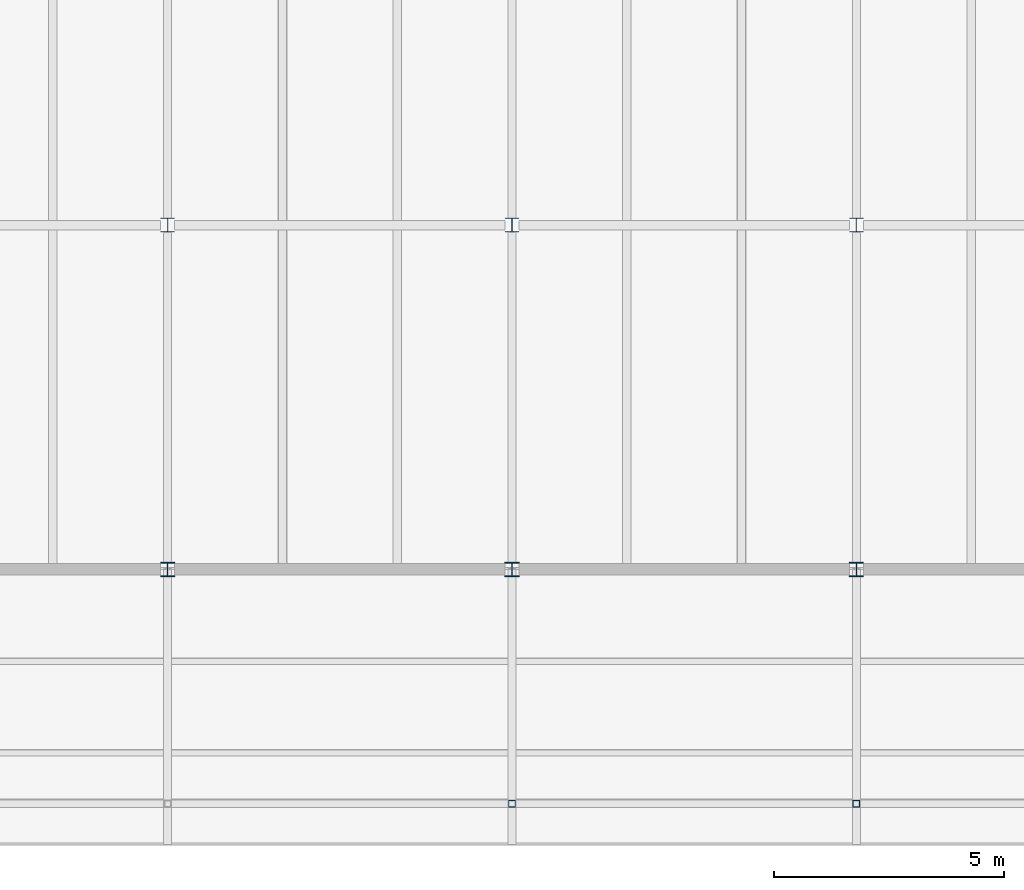
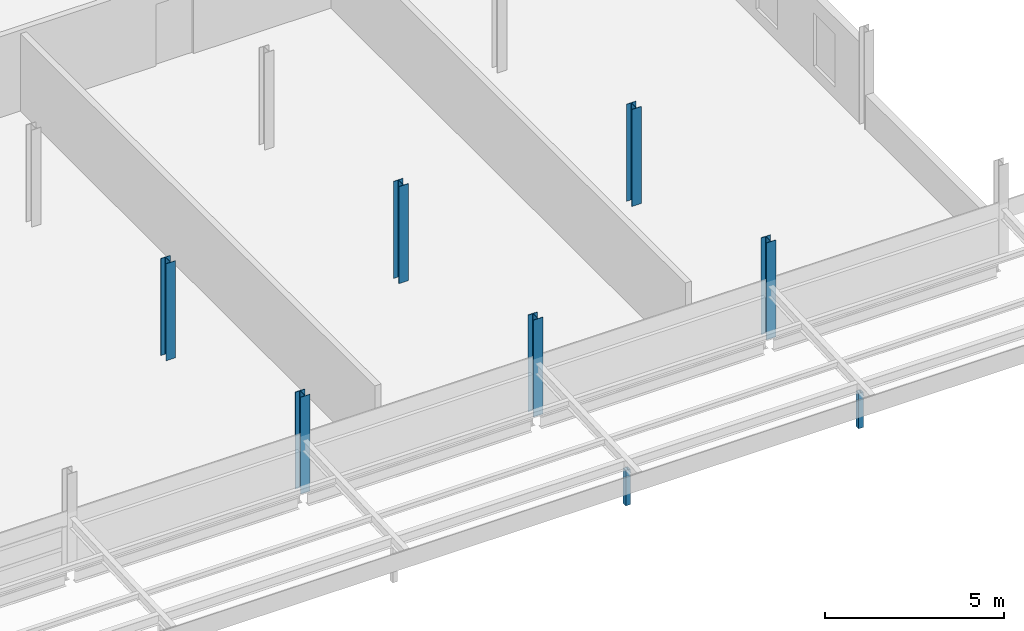
# One storey, part 9 of 214: 8 columns.
"""IFC4 building model written with IfcOpenShell, lengths in metres."""

import ifcopenshell
import ifcopenshell.guid

model = None  # the IFC model being written
_history = None  # IfcOwnerHistory: only IFC2X3 demands one
_inside = {}  # id of a spatial element -> (the spatial element, [elements in it])
_under = {}  # id of a project, library or spatial element -> (it, [spatial elements below it])
_declared = {}  # id of a project -> (the project, [libraries it declares])
_typed = {}  # id of a type object -> (the type object, [elements of that type])
_made_of = {}  # id of a material, layer set ... -> (it, [elements and type objects made of it])


def new_model(schema):
    """Start an empty IFC model of exactly this schema.

    Asked for "IFC4X3", IfcOpenShell would pick the latest addendum, in which some entities
    have other attributes; the version numbers below select the first issue.
    IFC2X3 requires an IfcOwnerHistory on every rooted entity: one is made here for all.
    """
    global model, _history
    if schema == "IFC4X3":
        model = ifcopenshell.file(schema_version=(4, 3, 0, 0))
    else:
        model = ifcopenshell.file(schema=schema)
    _inside.clear()
    _under.clear()
    _declared.clear()
    _typed.clear()
    _made_of.clear()
    _history = None
    if model.schema == "IFC2X3":
        org = make("IfcOrganization", Name="unknown")
        user = make(
            "IfcPersonAndOrganization",
            ThePerson=make("IfcPerson", FamilyName="unknown"),
            TheOrganization=org,
        )
        app = make(
            "IfcApplication",
            ApplicationDeveloper=org,
            Version="unknown",
            ApplicationFullName="unknown",
            ApplicationIdentifier="unknown",
        )
        _history = make(
            "IfcOwnerHistory",
            OwningUser=user,
            OwningApplication=app,
            ChangeAction="ADDED",
            CreationDate=0,
        )
    return model


def make(cls, **values):
    """One entity of the class cls with the attributes given. An attribute that is None is left unset."""
    return model.create_entity(
        cls, **{name: value for name, value in values.items() if value is not None}
    )


def rooted(cls, **values):
    """An entity with a GlobalId (a new one), such as an element, a storey or a relation."""
    return make(cls, GlobalId=ifcopenshell.guid.new(), OwnerHistory=_history, **values)


def si_unit(unit_type, name, prefix=None):
    """IfcSIUnit, for example si_unit("LENGTHUNIT", "METRE", prefix="MILLI")."""
    return make("IfcSIUnit", UnitType=unit_type, Prefix=prefix, Name=name)


def assignment(units):
    """IfcUnitAssignment: the units of a project."""
    return None if units is None else make("IfcUnitAssignment", Units=units)


def point(xyz):
    """IfcCartesianPoint."""
    return None if xyz is None else make("IfcCartesianPoint", Coordinates=xyz)


def direction(xyz):
    """IfcDirection."""
    return None if xyz is None else make("IfcDirection", DirectionRatios=xyz)


def frame(location, z_axis=None, x_axis=None):
    """IfcAxis2Placement3D, a coordinate frame: its origin and axes. An axis left out is left unset."""
    return make(
        "IfcAxis2Placement3D",
        Location=point(location),
        Axis=direction(z_axis),
        RefDirection=direction(x_axis),
    )


def frame_2d(location, x_axis=None):
    """IfcAxis2Placement2D, a coordinate frame in the plane: its origin and x axis."""
    return make(
        "IfcAxis2Placement2D", Location=point(location), RefDirection=direction(x_axis)
    )


def origin():
    """The frame at (0, 0, 0) with its axes left unset."""
    return frame((0.0, 0.0, 0.0))


def origin_2d():
    """The frame at (0, 0) in the plane with its x axis left unset."""
    return frame_2d((0.0, 0.0))


def place(relative_to, where):
    """IfcLocalPlacement: puts the frame where relative to a parent placement (None: the world)."""
    return make(
        "IfcLocalPlacement", PlacementRelTo=relative_to, RelativePlacement=where
    )


def context(
    kind, dimensions, precision=None, world=None, true_north=None, identifier=None
):
    """IfcGeometricRepresentationContext, for example the 3D "Model" context."""
    return make(
        "IfcGeometricRepresentationContext",
        ContextIdentifier=identifier,
        ContextType=kind,
        CoordinateSpaceDimension=dimensions,
        Precision=precision,
        WorldCoordinateSystem=world,
        TrueNorth=true_north,
    )


def subcontext(parent, identifier, kind, view, scale=None):
    """IfcGeometricRepresentationSubContext, for example "Body" below "Model"."""
    return make(
        "IfcGeometricRepresentationSubContext",
        ContextIdentifier=identifier,
        ContextType=kind,
        ParentContext=parent,
        TargetScale=scale,
        TargetView=view,
    )


def project(units=None, contexts=None):
    """IfcProject with its units and contexts."""
    return rooted(
        "IfcProject",
        Name="project",
        RepresentationContexts=contexts,
        UnitsInContext=assignment(units),
    )


def spatial(cls, under=None, at=None, **own):
    """A site, building, storey or space (cls), placed at a placement, below another one or the project."""
    s = rooted(cls, ObjectPlacement=at, **own)
    if under is not None:
        _under.setdefault(under.id(), (under, []))[1].append(s)
    return s


def profile(cls, at=None, kind="AREA", **sizes):
    """A parametric profile (cls). Its sizes go by their IFC names, for example OverallWidth=200.0."""
    return make(cls, ProfileType=kind, Position=at, **sizes)


def hollow_rectangle(**sizes):
    """IfcRectangleHollowProfileDef."""
    return profile("IfcRectangleHollowProfileDef", **sizes)


def i_section(**sizes):
    """IfcIShapeProfileDef."""
    return profile("IfcIShapeProfileDef", **sizes)


def extrude(swept, where, along, depth):
    """IfcExtrudedAreaSolid: the profile swept, set in the frame where, extruded along a direction by depth."""
    return make(
        "IfcExtrudedAreaSolid",
        SweptArea=swept,
        Position=where,
        ExtrudedDirection=direction(along),
        Depth=depth,
    )


def shape(context_of_items, identifier, shape_type, items):
    """IfcShapeRepresentation: the items that make up one representation, for example the "Body"."""
    return make(
        "IfcShapeRepresentation",
        ContextOfItems=context_of_items,
        RepresentationIdentifier=identifier,
        RepresentationType=shape_type,
        Items=items,
    )


def material(Name=None, Category=None):
    """IfcMaterial."""
    return make("IfcMaterial", Name=Name, Category=Category)


def material_profile(
    of_material, cross_section, Name=None, Category=None, Priority=None
):
    """IfcMaterialProfile: a cross section and its material."""
    return make(
        "IfcMaterialProfile",
        Name=Name,
        Material=of_material,
        Profile=cross_section,
        Priority=Priority,
        Category=Category,
    )


def profile_set(profiles, Name=None, composite=None):
    """IfcMaterialProfileSet."""
    return make(
        "IfcMaterialProfileSet",
        Name=Name,
        MaterialProfiles=profiles,
        CompositeProfile=composite,
    )


def made_of(thing, what):
    """Note that an element or type object is made of a material, layer set ...; save() writes the relation."""
    if what is not None:
        _made_of.setdefault(what.id(), (what, []))[1].append(thing)
    return thing


def type_object(cls, material=None, **own):
    """A type object (cls), such as IfcWallType, which elements share."""
    return made_of(rooted(cls, **own), material)


def element(
    cls,
    number,
    at=None,
    inside=None,
    cuts=None,
    type_object=None,
    material=None,
    context=None,
    identifier="Body",
    shape_type=None,
    held_by="IfcProductDefinitionShape",
    body=None,
    shapes=None,
    **own,
):
    """One element of the class cls, such as IfcWall. Its Tag is "e" and its number.

    at: its placement. inside: the storey or other place that contains it. cuts: it is an
    opening in that element (IfcRelVoidsElement). A single representation is given by context,
    identifier, shape_type and body (its items); several are given by shapes. held_by: the class
    of the entity that holds the representations. save() writes the other relations.
    """
    e = rooted(cls, Tag="e%d" % number, ObjectPlacement=at, **own)
    if body is not None:
        shapes = [shape(context, identifier, shape_type, body)]
    if shapes is not None:
        e.Representation = make(held_by, Representations=shapes)
    if inside is not None:
        _inside.setdefault(inside.id(), (inside, []))[1].append(e)
    if cuts is not None:
        rooted(
            "IfcRelVoidsElement", RelatingBuildingElement=cuts, RelatedOpeningElement=e
        )
    if type_object is not None:
        _typed.setdefault(type_object.id(), (type_object, []))[1].append(e)
    return made_of(e, material)


def aggregate(whole, parts):
    """IfcRelAggregates: a whole, such as a stair, and the parts it consists of."""
    return rooted("IfcRelAggregates", RelatingObject=whole, RelatedObjects=parts)


def save(model, path):
    """Write the relations noted so far, then the file.

    IfcRelAggregates (storeys below a building ...), IfcRelContainedInSpatialStructure (elements
    in a storey), IfcRelDefinesByType, IfcRelAssociatesMaterial and IfcRelDeclares: one each for
    every whole, place, type object, material and project.
    """
    for whole, parts in _under.values():
        aggregate(whole, parts)
    for where, things in _inside.values():
        rooted(
            "IfcRelContainedInSpatialStructure",
            RelatedElements=things,
            RelatingStructure=where,
        )
    for kind, things in _typed.values():
        rooted("IfcRelDefinesByType", RelatedObjects=things, RelatingType=kind)
    for what, things in _made_of.values():
        rooted("IfcRelAssociatesMaterial", RelatedObjects=things, RelatingMaterial=what)
    for by, libraries in _declared.values():
        rooted("IfcRelDeclares", RelatingContext=by, RelatedDefinitions=libraries)
    model.write(path)


model = new_model("IFC4")

# Units and contexts
model_context = context("Model", 3, precision=1e-05, world=origin(), true_north=direction((0.0, 1.0)))
body_context = subcontext(model_context, "Body", "Model", "MODEL_VIEW")
ifc_project = project(units=[si_unit("LENGTHUNIT", "METRE"), si_unit("AREAUNIT", "SQUARE_METRE"), si_unit("VOLUMEUNIT", "CUBIC_METRE"), si_unit("PLANEANGLEUNIT", "RADIAN"), si_unit("MASSUNIT", "GRAM", prefix="KILO")], contexts=[model_context])

# Site, building, storey
site_placement = place(None, origin())
site = spatial("IfcSite", under=ifc_project, at=site_placement, CompositionType="ELEMENT")
building_placement = place(site_placement, origin())
building = spatial("IfcBuilding", under=site, at=building_placement, Name="Parallax Yard Mobility Hub", CompositionType="ELEMENT")
storey_placement = place(building_placement, frame((0.0, 0.0, 3.300048828125)))
storey = spatial("IfcBuildingStorey", under=building, at=storey_placement, Name="L01", CompositionType="ELEMENT", Elevation=3.300048828125)

# Columns
ifc_material_1 = material(Name="Steel ASTM A500 Gr C", Category="steel")
ifc_material_profile_1 = material_profile(ifc_material_1, hollow_rectangle(XDim=0.15234375, YDim=0.15234375, WallThickness=0.009521484375, at=origin_2d()), Name="HSS152x152x9.5")
ifc_profile_set_1 = profile_set([ifc_material_profile_1], Name="Steel ASTM A500 Gr C")
column_type_1 = type_object("IfcColumnType", Name="Roof column HSS152x152x9.5", PredefinedType="COLUMN", material=ifc_profile_set_1)
for number, where, z_axis, x_axis, name in (
    (1, (127.5, 2.39990234375, 0.0), (0.0, 0.0, 1.0), (1.0, 0.0, 0.0), "Arcade column V6 5 level L01"),
    (2, (135.0, 2.39990234375, 0.0), (0.0, 0.0, 1.0), (1.0, 0.0, 0.0), "Arcade column V6 6 level L01"),
):
    element("IfcColumn", number, at=place(storey_placement, frame(where, z_axis=z_axis, x_axis=x_axis)), inside=storey, type_object=column_type_1, Name=name, PredefinedType="COLUMN", context=body_context, shape_type="SweptSolid", body=[
        extrude(hollow_rectangle(XDim=0.15234375, YDim=0.15234375, WallThickness=0.009521484375, at=origin_2d()), origin(), (0.0, 0.0, 1.0), 1.199951171875),
    ])
ifc_material_2 = material(Name="Steel ASTM A992", Category="steel")
ifc_material_profile_2 = material_profile(ifc_material_2, i_section(OverallWidth=0.304931640625, OverallDepth=0.31201171875, WebThickness=0.010986328125, FlangeThickness=0.01708984375, FilletRadius=0.015380859375, at=origin_2d()), Name="W310x107")
ifc_profile_set_2 = profile_set([ifc_material_profile_2], Name="Steel ASTM A992")
column_type_2 = type_object("IfcColumnType", Name="W310x107 column", PredefinedType="COLUMN", material=ifc_profile_set_2)
for number, where, z_axis, x_axis, name in (
    (3, (120.0, 15.0, 0.0), (0.0, 0.0, 1.0), (1.0, 0.0, 0.0), "Column C2 level L01 at C/17 of mobility service centre and workshops"),
    (4, (127.5, 15.0, 0.0), (0.0, 0.0, 1.0), (1.0, 0.0, 0.0), "Column C2 level L01 at C/18 of mobility service centre and workshops"),
    (5, (135.0, 15.0, 0.0), (0.0, 0.0, 1.0), (1.0, 0.0, 0.0), "Column C2 level L01 at C/19 of mobility service centre and workshops"),
):
    element("IfcColumn", number, at=place(storey_placement, frame(where, z_axis=z_axis, x_axis=x_axis)), inside=storey, type_object=column_type_2, Name=name, PredefinedType="COLUMN", context=body_context, shape_type="SweptSolid", body=[
        extrude(i_section(OverallWidth=0.304931640625, OverallDepth=0.31201171875, WebThickness=0.010986328125, FlangeThickness=0.01708984375, FilletRadius=0.015380859375, at=origin_2d()), origin(), (0.0, 0.0, 1.0), 3.300048828125),
    ])
ifc_material_profile_3 = material_profile(ifc_material_2, i_section(OverallWidth=0.304931640625, OverallDepth=0.306884765625, WebThickness=0.010009765625, FlangeThickness=0.015380859375, FilletRadius=0.01513671875, at=origin_2d()), Name="W310x97")
ifc_profile_set_3 = profile_set([ifc_material_profile_3], Name="Steel ASTM A992")
column_type_3 = type_object("IfcColumnType", Name="W310x97 column", PredefinedType="COLUMN", material=ifc_profile_set_3)
for number, where, z_axis, x_axis, name in (
    (6, (120.0, 7.5, 0.0), (0.0, 0.0, 1.0), (1.0, 0.0, 0.0), "Column C1 level L01 at B/17 of mobility service centre and workshops"),
    (7, (127.5, 7.5, 0.0), (0.0, 0.0, 1.0), (1.0, 0.0, 0.0), "Column C1 level L01 at B/18 of mobility service centre and workshops"),
    (8, (135.0, 7.5, 0.0), (0.0, 0.0, 1.0), (1.0, 0.0, 0.0), "Column C1 level L01 at B/19 of mobility service centre and workshops"),
):
    element("IfcColumn", number, at=place(storey_placement, frame(where, z_axis=z_axis, x_axis=x_axis)), inside=storey, type_object=column_type_3, Name=name, PredefinedType="COLUMN", context=body_context, shape_type="SweptSolid", body=[
        extrude(i_section(OverallWidth=0.304931640625, OverallDepth=0.306884765625, WebThickness=0.010009765625, FlangeThickness=0.015380859375, FilletRadius=0.01513671875, at=origin_2d()), origin(), (0.0, 0.0, 1.0), 3.300048828125),
    ])

save(model, "model.ifc")
